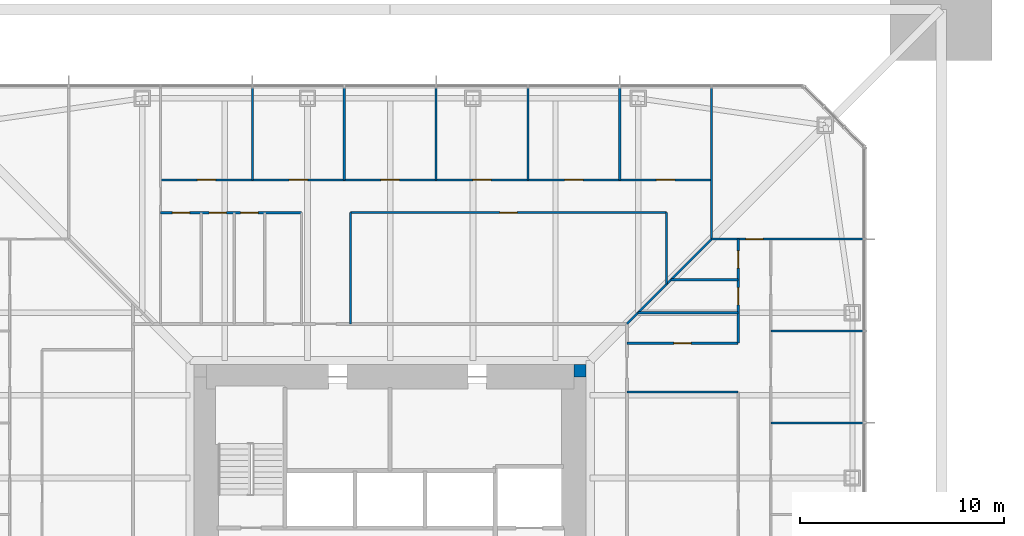
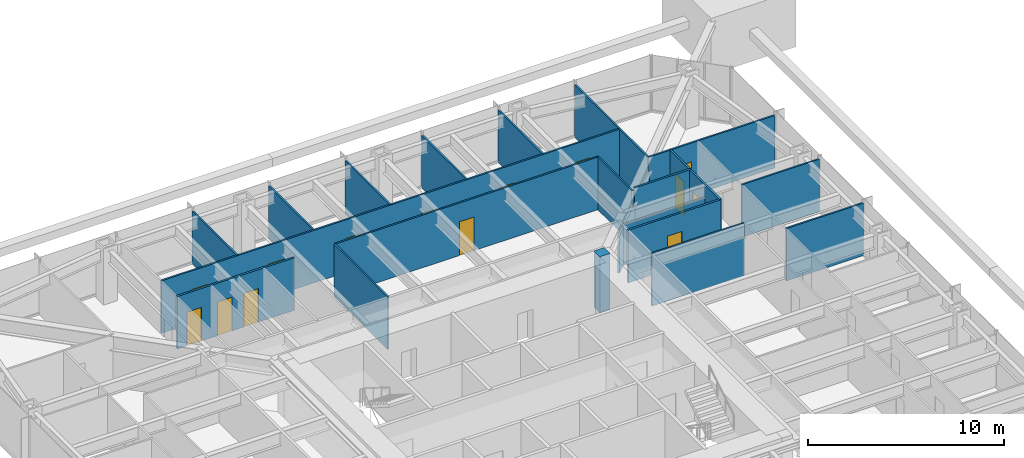
# One storey, part 18 of 27: 21 walls, 14 doors, 14 openings.
"""IFC4 building model written with IfcOpenShell, lengths in metres."""

from ifc_helpers import new_model, si_unit, direction, frame, frame_2d, origin, place, context, subcontext, project, spatial, rectangle, extrude, material, layer, layer_set, type_object, element, fill, save


model = new_model("IFC4")

# Units and contexts
model_context = context("Model", 3, precision=1e-05, world=origin(), true_north=direction((0.0, 1.0)))
body_context = subcontext(model_context, "Body", "Model", "MODEL_VIEW")
ifc_project = project(units=[si_unit("LENGTHUNIT", "METRE"), si_unit("AREAUNIT", "SQUARE_METRE"), si_unit("VOLUMEUNIT", "CUBIC_METRE"), si_unit("PLANEANGLEUNIT", "RADIAN"), si_unit("MASSUNIT", "GRAM", prefix="KILO")], contexts=[model_context])

# Site, building, storey
site_placement = place(None, origin())
site = spatial("IfcSite", under=ifc_project, at=site_placement, CompositionType="ELEMENT")
building_placement = place(site_placement, origin())
building = spatial("IfcBuilding", under=site, at=building_placement, Name="Iwan Alto Co-Living Towers", CompositionType="ELEMENT")
storey_placement = place(building_placement, frame((0.0, 0.0, 53.5)))
storey = spatial("IfcBuildingStorey", under=building, at=storey_placement, Name="L14", CompositionType="ELEMENT", Elevation=53.5)

# Walls
ifc_material_1 = material(Name="Gypsum board")
ifc_layer_1 = layer(ifc_material_1, 0.012451171875, Name="Board", Category="Finish")
ifc_material_2 = material(Name="Steel ASTM A1003 ST33H cold-formed studs", Category="steel")
ifc_layer_2 = layer(ifc_material_2, 0.074951171875, Name="Studs", Category="Framing")
ifc_layer_3 = layer(ifc_material_1, 0.012451171875, Name="Board", Category="Finish")
ifc_layer_set_1 = layer_set([ifc_layer_1, ifc_layer_2, ifc_layer_3], Name="PARTITION 100")
wall_type_1 = type_object("IfcWallType", Name="PARTITION 100", PredefinedType="PARTITIONING", material=ifc_layer_set_1)
wall_1_placement = place(storey_placement, frame((18.64990234375, 6.75, 0.0), z_axis=(0.0, 0.0, 1.0), x_axis=(1.0, 0.0, 0.0)))
element("IfcWall", 1, at=wall_1_placement, inside=storey, type_object=wall_type_1, Name="Partition L14", PredefinedType="PARTITIONING", context=body_context, shape_type="SweptSolid", body=[
    extrude(rectangle(XDim=4.5400390625, YDim=0.10009765625, at=frame_2d((2.27001953125, 0.0))), origin(), (0.0, 0.0, 1.0), 3.27001953125),
])
wall_2_placement = place(storey_placement, frame((11.60009765625, 8.25, 0.0), z_axis=(0.0, 0.0, 1.0), x_axis=(1.0, 0.0, 0.0)))
element("IfcWall", 2, at=wall_2_placement, inside=storey, type_object=wall_type_1, Name="Partition L14", PredefinedType="PARTITIONING", context=body_context, shape_type="SweptSolid", body=[
    extrude(rectangle(XDim=5.449951171875, YDim=0.10009765625, at=frame_2d((2.72509765625, 0.0))), origin(), (0.0, 0.0, 1.0), 3.27001953125),
])
wall_3_placement = place(storey_placement, frame((18.64990234375, 11.25, 0.0), z_axis=(0.0, 0.0, 1.0), x_axis=(1.0, 0.0, 0.0)))
element("IfcWall", 3, at=wall_3_placement, inside=storey, type_object=wall_type_1, Name="Partition L14", PredefinedType="PARTITIONING", context=body_context, shape_type="SweptSolid", body=[
    extrude(rectangle(XDim=4.5400390625, YDim=0.10009765625, at=frame_2d((2.27001953125, 0.0))), origin(), (0.0, 0.0, 1.0), 3.27001953125),
])

# Wall, opening, door
wall_4_placement = place(storey_placement, frame((15.75, 15.75, 0.0), z_axis=(0.0, 0.0, 1.0), x_axis=(1.0, 0.0, 0.0)))
wall_4 = element("IfcWall", 4, at=wall_4_placement, inside=storey, type_object=wall_type_1, Name="Partition L14", PredefinedType="PARTITIONING", context=body_context, shape_type="SweptSolid", body=[
    extrude(rectangle(XDim=7.43994140625, YDim=0.10009765625, at=frame_2d((3.719970703125, 0.0))), origin(), (0.0, 0.0, 1.0), 3.27001953125),
])
opening_1_placement = place(wall_4_placement, frame((1.675048828125, 0.0, 0.0)))
opening_1 = element("IfcOpeningElement", 5, at=opening_1_placement, cuts=wall_4, Name="Opening D2", PredefinedType="OPENING", context=body_context, shape_type="SweptSolid", body=[
    extrude(rectangle(XDim=0.85009765625, YDim=2.10009765625, at=frame_2d((0.425048828125, 1.050048828125))), frame((0.0, 0.06005859375, 0.0), z_axis=(0.0, -1.0, 0.0), x_axis=(1.0, 0.0, 0.0)), (0.0, 0.0, 1.0), 0.1201171875),
])
ifc_material_3 = material(Name="Timber leaf in steel frame", Category="steel")
door_type_1 = type_object("IfcDoorType", Name="ROOM DOOR 850X2100", OperationType="SINGLE_SWING_LEFT", PredefinedType="DOOR", material=ifc_material_3)
door_1_placement = place(opening_1_placement, frame((0.85009765625, 0.0, 0.0), z_axis=(0.0, 0.0, 1.0), x_axis=(-1.0, 0.0, 0.0)))
door_1 = element("IfcDoor", 6, at=door_1_placement, inside=storey, type_object=door_type_1, Name="Shared kitchen and lounge door L14", OperationType="SINGLE_SWING_RIGHT", OverallHeight=2.10009765625, OverallWidth=0.85009765625, PredefinedType="DOOR", context=body_context, shape_type="SweptSolid", body=[
    extrude(rectangle(XDim=0.85009765625, YDim=2.10009765625, at=frame_2d((0.425048828125, 1.050048828125))), frame((0.0, 0.02490234375, 0.0), z_axis=(0.0, -1.0, 0.0), x_axis=(1.0, 0.0, 0.0)), (0.0, 0.0, 1.0), 0.050048828125),
])
fill(opening_1, door_1)

wall_5_placement = place(storey_placement, frame((-1.949951171875, 17.050048828125, 0.0), z_axis=(0.0, 0.0, 1.0), x_axis=(1.0, 0.0, 0.0)))
wall_5 = element("IfcWall", 7, at=wall_5_placement, inside=storey, type_object=wall_type_1, Name="Partition L14", PredefinedType="PARTITIONING", context=body_context, shape_type="SweptSolid", body=[
    extrude(rectangle(XDim=15.5, YDim=0.10009765625, at=frame_2d((7.75, 0.0))), origin(), (0.0, 0.0, 1.0), 3.27001953125),
])
opening_2_placement = place(wall_5_placement, frame((7.324951171875, 0.0, 0.0)))
opening_2 = element("IfcOpeningElement", 8, at=opening_2_placement, cuts=wall_5, Name="Opening D2", PredefinedType="OPENING", context=body_context, shape_type="SweptSolid", body=[
    extrude(rectangle(XDim=0.85009765625, YDim=2.10009765625, at=frame_2d((0.425048828125, 1.050048828125))), frame((0.0, 0.06005859375, 0.0), z_axis=(0.0, -1.0, 0.0), x_axis=(1.0, 0.0, 0.0)), (0.0, 0.0, 1.0), 0.1201171875),
])
door_2_placement = place(opening_2_placement, frame((0.85009765625, 0.0, 0.0), z_axis=(0.0, 0.0, 1.0), x_axis=(-1.0, 0.0, 0.0)))
door_2 = element("IfcDoor", 9, at=door_2_placement, inside=storey, type_object=door_type_1, Name="Study lounge door L14", OperationType="SINGLE_SWING_RIGHT", OverallHeight=2.10009765625, OverallWidth=0.85009765625, PredefinedType="DOOR", context=body_context, shape_type="SweptSolid", body=[
    extrude(rectangle(XDim=0.85009765625, YDim=2.10009765625, at=frame_2d((0.425048828125, 1.050048828125))), frame((0.0, 0.02490234375, 0.0), z_axis=(0.0, -1.0, 0.0), x_axis=(1.0, 0.0, 0.0)), (0.0, 0.0, 1.0), 0.050048828125),
])
fill(opening_2, door_2)

# Wall, openings, doors
wall_6_placement = place(storey_placement, frame((-11.25, 18.64990234375, 0.0), z_axis=(0.0, 0.0, 1.0), x_axis=(1.0, 0.0, 0.0)))
wall_6 = element("IfcWall", 10, at=wall_6_placement, inside=storey, type_object=wall_type_1, Name="Partition L14", PredefinedType="PARTITIONING", context=body_context, shape_type="SweptSolid", body=[
    extrude(rectangle(XDim=27.0, YDim=0.10009765625, at=frame_2d((13.5, 0.0))), origin(), (0.0, 0.0, 1.0), 3.27001953125),
])
opening_3_placement = place(wall_6_placement, frame((24.300048828125, 0.0, 0.0)))
opening_3 = element("IfcOpeningElement", 11, at=opening_3_placement, cuts=wall_6, Name="Opening D1", PredefinedType="OPENING", context=body_context, shape_type="SweptSolid", body=[
    extrude(rectangle(XDim=0.89990234375, YDim=2.10009765625, at=frame_2d((0.449951171875, 1.050048828125))), frame((0.0, 0.06005859375, 0.0), z_axis=(0.0, -1.0, 0.0), x_axis=(1.0, 0.0, 0.0)), (0.0, 0.0, 1.0), 0.1201171875),
])
opening_4_placement = place(wall_6_placement, frame((19.800048828125, 0.0, 0.0)))
opening_4 = element("IfcOpeningElement", 12, at=opening_4_placement, cuts=wall_6, Name="Opening D1", PredefinedType="OPENING", context=body_context, shape_type="SweptSolid", body=[
    extrude(rectangle(XDim=0.89990234375, YDim=2.10009765625, at=frame_2d((0.449951171875, 1.050048828125))), frame((0.0, 0.06005859375, 0.0), z_axis=(0.0, -1.0, 0.0), x_axis=(1.0, 0.0, 0.0)), (0.0, 0.0, 1.0), 0.1201171875),
])
opening_5_placement = place(wall_6_placement, frame((15.300048828125, 0.0, 0.0)))
opening_5 = element("IfcOpeningElement", 13, at=opening_5_placement, cuts=wall_6, Name="Opening D1", PredefinedType="OPENING", context=body_context, shape_type="SweptSolid", body=[
    extrude(rectangle(XDim=0.89990234375, YDim=2.10009765625, at=frame_2d((0.449951171875, 1.050048828125))), frame((0.0, 0.06005859375, 0.0), z_axis=(0.0, -1.0, 0.0), x_axis=(1.0, 0.0, 0.0)), (0.0, 0.0, 1.0), 0.1201171875),
])
opening_6_placement = place(wall_6_placement, frame((10.800048828125, 0.0, 0.0)))
opening_6 = element("IfcOpeningElement", 14, at=opening_6_placement, cuts=wall_6, Name="Opening D1", PredefinedType="OPENING", context=body_context, shape_type="SweptSolid", body=[
    extrude(rectangle(XDim=0.89990234375, YDim=2.10009765625, at=frame_2d((0.449951171875, 1.050048828125))), frame((0.0, 0.06005859375, 0.0), z_axis=(0.0, -1.0, 0.0), x_axis=(1.0, 0.0, 0.0)), (0.0, 0.0, 1.0), 0.1201171875),
])
opening_7_placement = place(wall_6_placement, frame((6.300048828125, 0.0, 0.0)))
opening_7 = element("IfcOpeningElement", 15, at=opening_7_placement, cuts=wall_6, Name="Opening D1", PredefinedType="OPENING", context=body_context, shape_type="SweptSolid", body=[
    extrude(rectangle(XDim=0.89990234375, YDim=2.10009765625, at=frame_2d((0.449951171875, 1.050048828125))), frame((0.0, 0.06005859375, 0.0), z_axis=(0.0, -1.0, 0.0), x_axis=(1.0, 0.0, 0.0)), (0.0, 0.0, 1.0), 0.1201171875),
])
opening_8_placement = place(wall_6_placement, frame((1.800048828125, 0.0, 0.0)))
opening_8 = element("IfcOpeningElement", 16, at=opening_8_placement, cuts=wall_6, Name="Opening D1", PredefinedType="OPENING", context=body_context, shape_type="SweptSolid", body=[
    extrude(rectangle(XDim=0.89990234375, YDim=2.10009765625, at=frame_2d((0.449951171875, 1.050048828125))), frame((0.0, 0.06005859375, 0.0), z_axis=(0.0, -1.0, 0.0), x_axis=(1.0, 0.0, 0.0)), (0.0, 0.0, 1.0), 0.1201171875),
])
ifc_material_4 = material(Name="Timber leaf in steel frame", Category="steel")
door_type_2 = type_object("IfcDoorType", Name="BEDROOM DOOR 900X2100", OperationType="SINGLE_SWING_LEFT", PredefinedType="DOOR", material=ifc_material_4)
door_3_placement = place(opening_3_placement, frame((0.89990234375, 0.0, 0.0), z_axis=(0.0, 0.0, 1.0), x_axis=(-1.0, 0.0, 0.0)))
door_3 = element("IfcDoor", 17, at=door_3_placement, inside=storey, type_object=door_type_2, Name="Study bedroom door L14", OperationType="SINGLE_SWING_LEFT", OverallHeight=2.10009765625, OverallWidth=0.89990234375, PredefinedType="DOOR", context=body_context, shape_type="SweptSolid", body=[
    extrude(rectangle(XDim=0.89990234375, YDim=2.10009765625, at=frame_2d((0.449951171875, 1.050048828125))), frame((0.0, 0.02490234375, 0.0), z_axis=(0.0, -1.0, 0.0), x_axis=(1.0, 0.0, 0.0)), (0.0, 0.0, 1.0), 0.050048828125),
])
fill(opening_3, door_3)
door_4_placement = place(opening_4_placement, frame((0.89990234375, 0.0, 0.0), z_axis=(0.0, 0.0, 1.0), x_axis=(-1.0, 0.0, 0.0)))
door_4 = element("IfcDoor", 18, at=door_4_placement, inside=storey, type_object=door_type_2, Name="Study bedroom door L14", OperationType="SINGLE_SWING_LEFT", OverallHeight=2.10009765625, OverallWidth=0.89990234375, PredefinedType="DOOR", context=body_context, shape_type="SweptSolid", body=[
    extrude(rectangle(XDim=0.89990234375, YDim=2.10009765625, at=frame_2d((0.449951171875, 1.050048828125))), frame((0.0, 0.02490234375, 0.0), z_axis=(0.0, -1.0, 0.0), x_axis=(1.0, 0.0, 0.0)), (0.0, 0.0, 1.0), 0.050048828125),
])
fill(opening_4, door_4)
door_5_placement = place(opening_5_placement, frame((0.89990234375, 0.0, 0.0), z_axis=(0.0, 0.0, 1.0), x_axis=(-1.0, 0.0, 0.0)))
door_5 = element("IfcDoor", 19, at=door_5_placement, inside=storey, type_object=door_type_2, Name="Study bedroom door L14", OperationType="SINGLE_SWING_LEFT", OverallHeight=2.10009765625, OverallWidth=0.89990234375, PredefinedType="DOOR", context=body_context, shape_type="SweptSolid", body=[
    extrude(rectangle(XDim=0.89990234375, YDim=2.10009765625, at=frame_2d((0.449951171875, 1.050048828125))), frame((0.0, 0.02490234375, 0.0), z_axis=(0.0, -1.0, 0.0), x_axis=(1.0, 0.0, 0.0)), (0.0, 0.0, 1.0), 0.050048828125),
])
fill(opening_5, door_5)
door_6_placement = place(opening_6_placement, frame((0.89990234375, 0.0, 0.0), z_axis=(0.0, 0.0, 1.0), x_axis=(-1.0, 0.0, 0.0)))
door_6 = element("IfcDoor", 20, at=door_6_placement, inside=storey, type_object=door_type_2, Name="Study bedroom door L14", OperationType="SINGLE_SWING_RIGHT", OverallHeight=2.10009765625, OverallWidth=0.89990234375, PredefinedType="DOOR", context=body_context, shape_type="SweptSolid", body=[
    extrude(rectangle(XDim=0.89990234375, YDim=2.10009765625, at=frame_2d((0.449951171875, 1.050048828125))), frame((0.0, 0.02490234375, 0.0), z_axis=(0.0, -1.0, 0.0), x_axis=(1.0, 0.0, 0.0)), (0.0, 0.0, 1.0), 0.050048828125),
])
fill(opening_6, door_6)
door_7_placement = place(opening_7_placement, frame((0.89990234375, 0.0, 0.0), z_axis=(0.0, 0.0, 1.0), x_axis=(-1.0, 0.0, 0.0)))
door_7 = element("IfcDoor", 21, at=door_7_placement, inside=storey, type_object=door_type_2, Name="Study bedroom door L14", OperationType="SINGLE_SWING_RIGHT", OverallHeight=2.10009765625, OverallWidth=0.89990234375, PredefinedType="DOOR", context=body_context, shape_type="SweptSolid", body=[
    extrude(rectangle(XDim=0.89990234375, YDim=2.10009765625, at=frame_2d((0.449951171875, 1.050048828125))), frame((0.0, 0.02490234375, 0.0), z_axis=(0.0, -1.0, 0.0), x_axis=(1.0, 0.0, 0.0)), (0.0, 0.0, 1.0), 0.050048828125),
])
fill(opening_7, door_7)
door_8_placement = place(opening_8_placement, frame((0.89990234375, 0.0, 0.0), z_axis=(0.0, 0.0, 1.0), x_axis=(-1.0, 0.0, 0.0)))
door_8 = element("IfcDoor", 22, at=door_8_placement, inside=storey, type_object=door_type_2, Name="Study bedroom door L14", OperationType="SINGLE_SWING_RIGHT", OverallHeight=2.10009765625, OverallWidth=0.89990234375, PredefinedType="DOOR", context=body_context, shape_type="SweptSolid", body=[
    extrude(rectangle(XDim=0.89990234375, YDim=2.10009765625, at=frame_2d((0.449951171875, 1.050048828125))), frame((0.0, 0.02490234375, 0.0), z_axis=(0.0, -1.0, 0.0), x_axis=(1.0, 0.0, 0.0)), (0.0, 0.0, 1.0), 0.050048828125),
])
fill(opening_8, door_8)

# Walls
wall_7_placement = place(storey_placement, frame((15.75, 15.75, 0.0), z_axis=(0.0, 0.0, 1.0), x_axis=(0.0, 1.0, 0.0)))
element("IfcWall", 23, at=wall_7_placement, inside=storey, type_object=wall_type_1, Name="Partition L14", PredefinedType="PARTITIONING", context=body_context, shape_type="SweptSolid", body=[
    extrude(rectangle(XDim=7.43994140625, YDim=0.10009765625, at=frame_2d((3.719970703125, 0.0))), origin(), (0.0, 0.0, 1.0), 3.27001953125),
])
wall_8_placement = place(storey_placement, frame((13.550048828125, 13.550048828125, 0.0), z_axis=(0.0, 0.0, 1.0), x_axis=(0.0, 1.0, 0.0)))
element("IfcWall", 24, at=wall_8_placement, inside=storey, type_object=wall_type_1, Name="Partition L14", PredefinedType="PARTITIONING", context=body_context, shape_type="SweptSolid", body=[
    extrude(rectangle(XDim=3.5, YDim=0.10009765625, at=frame_2d((1.75, 0.0))), origin(), (0.0, 0.0, 1.0), 3.27001953125),
])
for number, where, z_axis, x_axis, name in (
    (25, (11.25, 18.64990234375, 0.0), (0.0, 0.0, 1.0), (0.0, 1.0, 0.0), "Partition L14"),
    (26, (6.75, 18.64990234375, 0.0), (0.0, 0.0, 1.0), (0.0, 1.0, 0.0), "Partition L14"),
    (27, (2.25, 18.64990234375, 0.0), (0.0, 0.0, 1.0), (0.0, 1.0, 0.0), "Partition L14"),
):
    element("IfcWall", number, at=place(storey_placement, frame(where, z_axis=z_axis, x_axis=x_axis)), inside=storey, type_object=wall_type_1, Name=name, PredefinedType="PARTITIONING", context=body_context, shape_type="SweptSolid", body=[
        extrude(rectangle(XDim=4.5400390625, YDim=0.10009765625, at=frame_2d((2.27001953125, 0.0))), origin(), (0.0, 0.0, 1.0), 3.27001953125),
    ])
wall_9_placement = place(storey_placement, frame((-1.949951171875, 11.60009765625, 0.0), z_axis=(0.0, 0.0, 1.0), x_axis=(0.0, 1.0, 0.0)))
element("IfcWall", 28, at=wall_9_placement, inside=storey, type_object=wall_type_1, Name="Partition L14", PredefinedType="PARTITIONING", context=body_context, shape_type="SweptSolid", body=[
    extrude(rectangle(XDim=5.449951171875, YDim=0.10009765625, at=frame_2d((2.72509765625, 0.0))), origin(), (0.0, 0.0, 1.0), 3.27001953125),
])
for number, where, z_axis, x_axis, name in (
    (29, (-2.25, 18.64990234375, 0.0), (0.0, 0.0, 1.0), (0.0, 1.0, 0.0), "Partition L14"),
    (30, (-6.75, 18.64990234375, 0.0), (0.0, 0.0, 1.0), (0.0, 1.0, 0.0), "Partition L14"),
):
    element("IfcWall", number, at=place(storey_placement, frame(where, z_axis=z_axis, x_axis=x_axis)), inside=storey, type_object=wall_type_1, Name=name, PredefinedType="PARTITIONING", context=body_context, shape_type="SweptSolid", body=[
        extrude(rectangle(XDim=4.5400390625, YDim=0.10009765625, at=frame_2d((2.27001953125, 0.0))), origin(), (0.0, 0.0, 1.0), 3.27001953125),
    ])
ifc_material_5 = material(Name="Concrete f'c 70 MPa", Category="concrete")
ifc_layer_4 = layer(ifc_material_5, 0.60009765625)
ifc_layer_set_2 = layer_set([ifc_layer_4], Name="T1 CORE CORNER FILL 600")
wall_type_2 = type_object("IfcWallType", Name="T1 CORE CORNER FILL 600", PredefinedType="SOLIDWALL", material=ifc_layer_set_2)
wall_10_placement = place(storey_placement, frame((9.0, 9.300048828125, 0.0), z_axis=(0.0, 0.0, 1.0), x_axis=(1.0, 0.0, 0.0)))
element("IfcWall", 31, at=wall_10_placement, inside=storey, type_object=wall_type_2, Name="T1 core corner NE L14", PredefinedType="SOLIDWALL", context=body_context, shape_type="SweptSolid", body=[
    extrude(rectangle(XDim=0.60009765625, YDim=0.60009765625, at=frame_2d((0.300048828125, 0.0))), origin(), (0.0, 0.0, 1.0), 3.5),
])

# Wall, opening, door
ifc_material_6 = material(Name="Cement board")
ifc_layer_5 = layer(ifc_material_6, 0.012451171875, Name="Board", Category="Finish")
ifc_layer_6 = layer(ifc_material_2, 0.094970703125, Name="Studs", Category="Framing")
ifc_layer_7 = layer(ifc_material_6, 0.012451171875, Name="Board", Category="Finish")
ifc_layer_set_3 = layer_set([ifc_layer_5, ifc_layer_6, ifc_layer_7], Name="WET AREA PARTITION 120")
wall_type_3 = type_object("IfcWallType", Name="WET AREA PARTITION 120", PredefinedType="PARTITIONING", material=ifc_layer_set_3)
wall_11_placement = place(storey_placement, frame((11.60009765625, 10.64990234375, 0.0), z_axis=(0.0, 0.0, 1.0), x_axis=(1.0, 0.0, 0.0)))
wall_11 = element("IfcWall", 32, at=wall_11_placement, inside=storey, type_object=wall_type_3, Name="Partition L14", PredefinedType="PARTITIONING", context=body_context, shape_type="SweptSolid", body=[
    extrude(rectangle(XDim=5.449951171875, YDim=0.1201171875, at=frame_2d((2.72509765625, 0.0))), origin(), (0.0, 0.0, 1.0), 3.27001953125),
])
opening_9_placement = place(wall_11_placement, frame((2.300048828125, 0.0, 0.0)))
opening_9 = element("IfcOpeningElement", 33, at=opening_9_placement, cuts=wall_11, Name="Opening D2", PredefinedType="OPENING", context=body_context, shape_type="SweptSolid", body=[
    extrude(rectangle(XDim=0.85009765625, YDim=2.10009765625, at=frame_2d((0.425048828125, 1.050048828125))), frame((0.0, 0.070068359375, 0.0), z_axis=(0.0, -1.0, 0.0), x_axis=(1.0, 0.0, 0.0)), (0.0, 0.0, 1.0), 0.14013671875),
])
door_9_placement = place(opening_9_placement, frame((0.85009765625, 0.0, 0.0), z_axis=(0.0, 0.0, 1.0), x_axis=(-1.0, 0.0, 0.0)))
door_9 = element("IfcDoor", 34, at=door_9_placement, inside=storey, type_object=door_type_1, Name="Bathroom door L14", OperationType="SINGLE_SWING_RIGHT", OverallHeight=2.10009765625, OverallWidth=0.85009765625, PredefinedType="DOOR", context=body_context, shape_type="SweptSolid", body=[
    extrude(rectangle(XDim=0.85009765625, YDim=2.10009765625, at=frame_2d((0.425048828125, 1.050048828125))), frame((0.0, 0.02490234375, 0.0), z_axis=(0.0, -1.0, 0.0), x_axis=(1.0, 0.0, 0.0)), (0.0, 0.0, 1.0), 0.050048828125),
])
fill(opening_9, door_9)

# Walls
wall_12_placement = place(storey_placement, frame((12.14990234375, 12.14990234375, 0.0), z_axis=(0.0, 0.0, 1.0), x_axis=(1.0, 0.0, 0.0)))
element("IfcWall", 35, at=wall_12_placement, inside=storey, type_object=wall_type_3, Name="Partition L14", PredefinedType="PARTITIONING", context=body_context, shape_type="SweptSolid", body=[
    extrude(rectangle(XDim=4.900146484375, YDim=0.1201171875, at=frame_2d((2.4501953125, 0.0))), origin(), (0.0, 0.0, 1.0), 2.508056640625),
])
wall_13_placement = place(storey_placement, frame((13.75, 13.75, 0.0), z_axis=(0.0, 0.0, 1.0), x_axis=(1.0, 0.0, 0.0)))
element("IfcWall", 36, at=wall_13_placement, inside=storey, type_object=wall_type_3, Name="Partition L14", PredefinedType="PARTITIONING", context=body_context, shape_type="SweptSolid", body=[
    extrude(rectangle(XDim=3.300048828125, YDim=0.1201171875, at=frame_2d((1.64990234375, 0.0))), origin(), (0.0, 0.0, 1.0), 3.27001953125),
])

# Wall, openings, doors
wall_14_placement = place(storey_placement, frame((-11.25, 17.050048828125, 0.0), z_axis=(0.0, 0.0, 1.0), x_axis=(1.0, 0.0, 0.0)))
wall_14 = element("IfcWall", 37, at=wall_14_placement, inside=storey, type_object=wall_type_3, Name="Partition L14", PredefinedType="PARTITIONING", context=body_context, shape_type="SweptSolid", body=[
    extrude(rectangle(XDim=6.89990234375, YDim=0.1201171875, at=frame_2d((3.449951171875, 0.0))), origin(), (0.0, 0.0, 1.0), 3.27001953125),
])
opening_10_placement = place(wall_14_placement, frame((3.925048828125, 0.0, 0.0)))
opening_10 = element("IfcOpeningElement", 38, at=opening_10_placement, cuts=wall_14, Name="Opening D2", PredefinedType="OPENING", context=body_context, shape_type="SweptSolid", body=[
    extrude(rectangle(XDim=0.85009765625, YDim=2.10009765625, at=frame_2d((0.425048828125, 1.050048828125))), frame((0.0, 0.070068359375, 0.0), z_axis=(0.0, -1.0, 0.0), x_axis=(1.0, 0.0, 0.0)), (0.0, 0.0, 1.0), 0.14013671875),
])
opening_11_placement = place(wall_14_placement, frame((2.375, 0.0, 0.0)))
opening_11 = element("IfcOpeningElement", 39, at=opening_11_placement, cuts=wall_14, Name="Opening D2", PredefinedType="OPENING", context=body_context, shape_type="SweptSolid", body=[
    extrude(rectangle(XDim=0.85009765625, YDim=2.10009765625, at=frame_2d((0.425048828125, 1.050048828125))), frame((0.0, 0.070068359375, 0.0), z_axis=(0.0, -1.0, 0.0), x_axis=(1.0, 0.0, 0.0)), (0.0, 0.0, 1.0), 0.14013671875),
])
opening_12_placement = place(wall_14_placement, frame((0.574951171875, 0.0, 0.0)))
opening_12 = element("IfcOpeningElement", 40, at=opening_12_placement, cuts=wall_14, Name="Opening D2", PredefinedType="OPENING", context=body_context, shape_type="SweptSolid", body=[
    extrude(rectangle(XDim=0.85009765625, YDim=2.10009765625, at=frame_2d((0.425048828125, 1.050048828125))), frame((0.0, 0.070068359375, 0.0), z_axis=(0.0, -1.0, 0.0), x_axis=(1.0, 0.0, 0.0)), (0.0, 0.0, 1.0), 0.14013671875),
])
door_10_placement = place(opening_10_placement, origin())
door_10 = element("IfcDoor", 41, at=door_10_placement, inside=storey, type_object=door_type_1, Name="Bathroom door L14", OperationType="SINGLE_SWING_LEFT", OverallHeight=2.10009765625, OverallWidth=0.85009765625, PredefinedType="DOOR", context=body_context, shape_type="SweptSolid", body=[
    extrude(rectangle(XDim=0.85009765625, YDim=2.10009765625, at=frame_2d((0.425048828125, 1.050048828125))), frame((0.0, 0.02490234375, 0.0), z_axis=(0.0, -1.0, 0.0), x_axis=(1.0, 0.0, 0.0)), (0.0, 0.0, 1.0), 0.050048828125),
])
fill(opening_10, door_10)
door_11_placement = place(opening_11_placement, origin())
door_11 = element("IfcDoor", 42, at=door_11_placement, inside=storey, type_object=door_type_1, Name="Accessible bathroom door L14", OperationType="SINGLE_SWING_LEFT", OverallHeight=2.10009765625, OverallWidth=0.85009765625, PredefinedType="DOOR", context=body_context, shape_type="SweptSolid", body=[
    extrude(rectangle(XDim=0.85009765625, YDim=2.10009765625, at=frame_2d((0.425048828125, 1.050048828125))), frame((0.0, 0.02490234375, 0.0), z_axis=(0.0, -1.0, 0.0), x_axis=(1.0, 0.0, 0.0)), (0.0, 0.0, 1.0), 0.050048828125),
])
fill(opening_11, door_11)
door_12_placement = place(opening_12_placement, origin())
door_12 = element("IfcDoor", 43, at=door_12_placement, inside=storey, type_object=door_type_1, Name="Laundry door L14", OperationType="SINGLE_SWING_LEFT", OverallHeight=2.10009765625, OverallWidth=0.85009765625, PredefinedType="DOOR", context=body_context, shape_type="SweptSolid", body=[
    extrude(rectangle(XDim=0.85009765625, YDim=2.10009765625, at=frame_2d((0.425048828125, 1.050048828125))), frame((0.0, 0.02490234375, 0.0), z_axis=(0.0, -1.0, 0.0), x_axis=(1.0, 0.0, 0.0)), (0.0, 0.0, 1.0), 0.050048828125),
])
fill(opening_12, door_12)

# Wall
wall_15_placement = place(storey_placement, frame((11.60009765625, 11.60009765625, 0.0), z_axis=(0.0, 0.0, 1.0), x_axis=(0.707106781187, 0.707106781187, 0.0)))
element("IfcWall", 44, at=wall_15_placement, inside=storey, type_object=wall_type_3, Name="Partition L14", PredefinedType="PARTITIONING", context=body_context, shape_type="SweptSolid", body=[
    extrude(rectangle(XDim=5.868896484375, YDim=0.1201171875, at=frame_2d((2.9345703125, 0.0))), origin(), (0.0, 0.0, 1.0), 2.343017578125),
])

# Wall, openings, doors
wall_16_placement = place(storey_placement, frame((17.050048828125, 10.64990234375, 0.0), z_axis=(0.0, 0.0, 1.0), x_axis=(0.0, 1.0, 0.0)))
wall_16 = element("IfcWall", 45, at=wall_16_placement, inside=storey, type_object=wall_type_3, Name="Partition L14", PredefinedType="PARTITIONING", context=body_context, shape_type="SweptSolid", body=[
    extrude(rectangle(XDim=5.10009765625, YDim=0.1201171875, at=frame_2d((2.550048828125, 0.0))), origin(), (0.0, 0.0, 1.0), 3.27001953125),
])
opening_13_placement = place(wall_16_placement, frame((1.875, 0.0, 0.0)))
opening_13 = element("IfcOpeningElement", 46, at=opening_13_placement, cuts=wall_16, Name="Opening D2", PredefinedType="OPENING", context=body_context, shape_type="SweptSolid", body=[
    extrude(rectangle(XDim=0.85009765625, YDim=2.10009765625, at=frame_2d((0.425048828125, 1.050048828125))), frame((0.0, 0.070068359375, 0.0), z_axis=(0.0, -1.0, 0.0), x_axis=(1.0, 0.0, 0.0)), (0.0, 0.0, 1.0), 0.14013671875),
])
opening_14_placement = place(wall_16_placement, frame((3.675048828125, 0.0, 0.0)))
opening_14 = element("IfcOpeningElement", 47, at=opening_14_placement, cuts=wall_16, Name="Opening D2", PredefinedType="OPENING", context=body_context, shape_type="SweptSolid", body=[
    extrude(rectangle(XDim=0.85009765625, YDim=2.10009765625, at=frame_2d((0.425048828125, 1.050048828125))), frame((0.0, 0.070068359375, 0.0), z_axis=(0.0, -1.0, 0.0), x_axis=(1.0, 0.0, 0.0)), (0.0, 0.0, 1.0), 0.14013671875),
])
door_13_placement = place(opening_13_placement, frame((0.85009765625, 0.0, 0.0), z_axis=(0.0, 0.0, 1.0), x_axis=(-1.0, 0.0, 0.0)))
door_13 = element("IfcDoor", 48, at=door_13_placement, inside=storey, type_object=door_type_1, Name="Accessible bathroom door L14", OperationType="SINGLE_SWING_LEFT", OverallHeight=2.10009765625, OverallWidth=0.85009765625, PredefinedType="DOOR", context=body_context, shape_type="SweptSolid", body=[
    extrude(rectangle(XDim=0.85009765625, YDim=2.10009765625, at=frame_2d((0.425048828125, 1.050048828125))), frame((0.0, 0.02490234375, 0.0), z_axis=(0.0, -1.0, 0.0), x_axis=(1.0, 0.0, 0.0)), (0.0, 0.0, 1.0), 0.050048828125),
])
fill(opening_13, door_13)
door_14_placement = place(opening_14_placement, frame((0.85009765625, 0.0, 0.0), z_axis=(0.0, 0.0, 1.0), x_axis=(-1.0, 0.0, 0.0)))
door_14 = element("IfcDoor", 49, at=door_14_placement, inside=storey, type_object=door_type_1, Name="Laundry door L14", OperationType="SINGLE_SWING_LEFT", OverallHeight=2.10009765625, OverallWidth=0.85009765625, PredefinedType="DOOR", context=body_context, shape_type="SweptSolid", body=[
    extrude(rectangle(XDim=0.85009765625, YDim=2.10009765625, at=frame_2d((0.425048828125, 1.050048828125))), frame((0.0, 0.02490234375, 0.0), z_axis=(0.0, -1.0, 0.0), x_axis=(1.0, 0.0, 0.0)), (0.0, 0.0, 1.0), 0.050048828125),
])
fill(opening_14, door_14)

save(model, "model.ifc")
